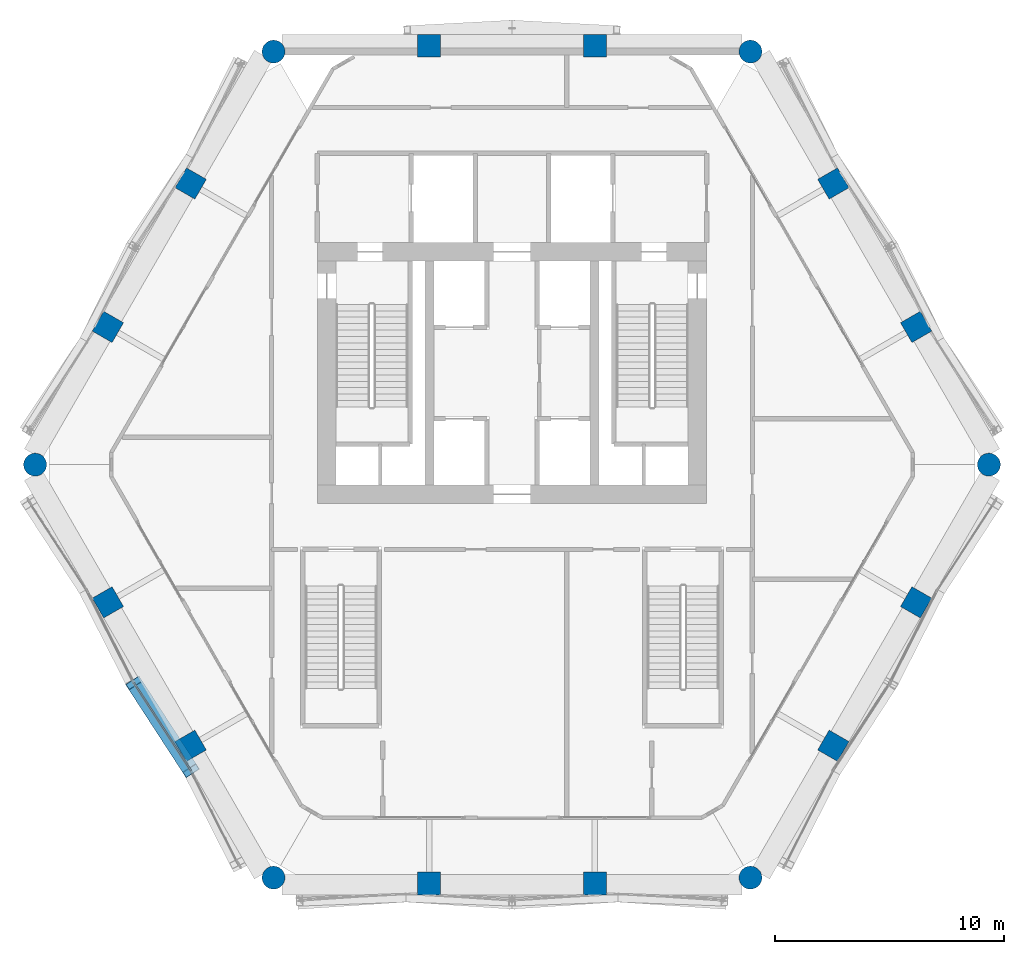
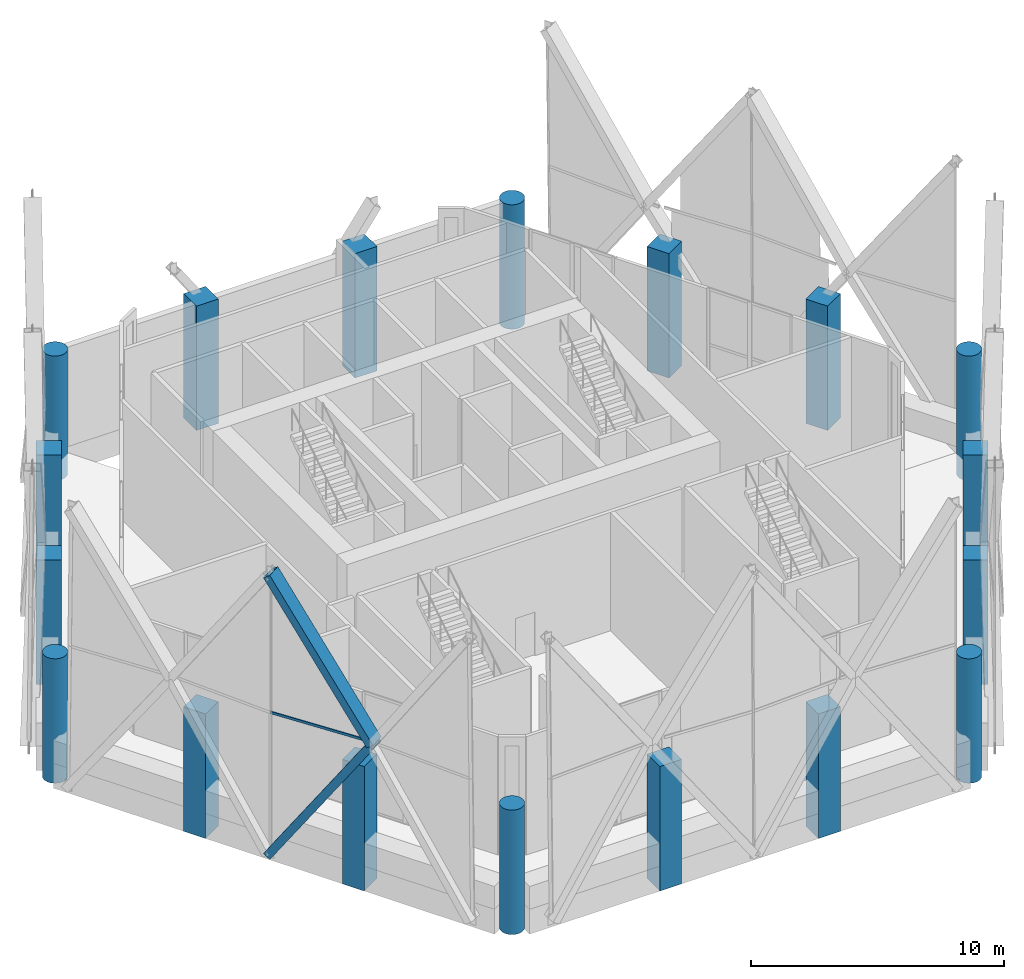
# One storey, part 1 of 43: 18 columns, 3 members, 1 element without a shape of its own.
"""IFC4 building model written with IfcOpenShell, lengths in metres."""

import ifcopenshell
import ifcopenshell.guid

model = None  # the IFC model being written
_history = None  # IfcOwnerHistory: only IFC2X3 demands one
_inside = {}  # id of a spatial element -> (the spatial element, [elements in it])
_under = {}  # id of a project, library or spatial element -> (it, [spatial elements below it])
_declared = {}  # id of a project -> (the project, [libraries it declares])
_typed = {}  # id of a type object -> (the type object, [elements of that type])
_made_of = {}  # id of a material, layer set ... -> (it, [elements and type objects made of it])


def new_model(schema):
    """Start an empty IFC model of exactly this schema.

    Asked for "IFC4X3", IfcOpenShell would pick the latest addendum, in which some entities
    have other attributes; the version numbers below select the first issue.
    IFC2X3 requires an IfcOwnerHistory on every rooted entity: one is made here for all.
    """
    global model, _history
    if schema == "IFC4X3":
        model = ifcopenshell.file(schema_version=(4, 3, 0, 0))
    else:
        model = ifcopenshell.file(schema=schema)
    _inside.clear()
    _under.clear()
    _declared.clear()
    _typed.clear()
    _made_of.clear()
    _history = None
    if model.schema == "IFC2X3":
        org = make("IfcOrganization", Name="unknown")
        user = make(
            "IfcPersonAndOrganization",
            ThePerson=make("IfcPerson", FamilyName="unknown"),
            TheOrganization=org,
        )
        app = make(
            "IfcApplication",
            ApplicationDeveloper=org,
            Version="unknown",
            ApplicationFullName="unknown",
            ApplicationIdentifier="unknown",
        )
        _history = make(
            "IfcOwnerHistory",
            OwningUser=user,
            OwningApplication=app,
            ChangeAction="ADDED",
            CreationDate=0,
        )
    return model


def make(cls, **values):
    """One entity of the class cls with the attributes given. An attribute that is None is left unset."""
    return model.create_entity(
        cls, **{name: value for name, value in values.items() if value is not None}
    )


def rooted(cls, **values):
    """An entity with a GlobalId (a new one), such as an element, a storey or a relation."""
    return make(cls, GlobalId=ifcopenshell.guid.new(), OwnerHistory=_history, **values)


def si_unit(unit_type, name, prefix=None):
    """IfcSIUnit, for example si_unit("LENGTHUNIT", "METRE", prefix="MILLI")."""
    return make("IfcSIUnit", UnitType=unit_type, Prefix=prefix, Name=name)


def assignment(units):
    """IfcUnitAssignment: the units of a project."""
    return None if units is None else make("IfcUnitAssignment", Units=units)


def point(xyz):
    """IfcCartesianPoint."""
    return None if xyz is None else make("IfcCartesianPoint", Coordinates=xyz)


def direction(xyz):
    """IfcDirection."""
    return None if xyz is None else make("IfcDirection", DirectionRatios=xyz)


def frame(location, z_axis=None, x_axis=None):
    """IfcAxis2Placement3D, a coordinate frame: its origin and axes. An axis left out is left unset."""
    return make(
        "IfcAxis2Placement3D",
        Location=point(location),
        Axis=direction(z_axis),
        RefDirection=direction(x_axis),
    )


def frame_2d(location, x_axis=None):
    """IfcAxis2Placement2D, a coordinate frame in the plane: its origin and x axis."""
    return make(
        "IfcAxis2Placement2D", Location=point(location), RefDirection=direction(x_axis)
    )


def origin():
    """The frame at (0, 0, 0) with its axes left unset."""
    return frame((0.0, 0.0, 0.0))


def origin_2d():
    """The frame at (0, 0) in the plane with its x axis left unset."""
    return frame_2d((0.0, 0.0))


def place(relative_to, where):
    """IfcLocalPlacement: puts the frame where relative to a parent placement (None: the world)."""
    return make(
        "IfcLocalPlacement", PlacementRelTo=relative_to, RelativePlacement=where
    )


def context(
    kind, dimensions, precision=None, world=None, true_north=None, identifier=None
):
    """IfcGeometricRepresentationContext, for example the 3D "Model" context."""
    return make(
        "IfcGeometricRepresentationContext",
        ContextIdentifier=identifier,
        ContextType=kind,
        CoordinateSpaceDimension=dimensions,
        Precision=precision,
        WorldCoordinateSystem=world,
        TrueNorth=true_north,
    )


def subcontext(parent, identifier, kind, view, scale=None):
    """IfcGeometricRepresentationSubContext, for example "Body" below "Model"."""
    return make(
        "IfcGeometricRepresentationSubContext",
        ContextIdentifier=identifier,
        ContextType=kind,
        ParentContext=parent,
        TargetScale=scale,
        TargetView=view,
    )


def project(units=None, contexts=None):
    """IfcProject with its units and contexts."""
    return rooted(
        "IfcProject",
        Name="project",
        RepresentationContexts=contexts,
        UnitsInContext=assignment(units),
    )


def spatial(cls, under=None, at=None, **own):
    """A site, building, storey or space (cls), placed at a placement, below another one or the project."""
    s = rooted(cls, ObjectPlacement=at, **own)
    if under is not None:
        _under.setdefault(under.id(), (under, []))[1].append(s)
    return s


def profile(cls, at=None, kind="AREA", **sizes):
    """A parametric profile (cls). Its sizes go by their IFC names, for example OverallWidth=200.0."""
    return make(cls, ProfileType=kind, Position=at, **sizes)


def rectangle(**sizes):
    """IfcRectangleProfileDef."""
    return profile("IfcRectangleProfileDef", **sizes)


def hollow_rectangle(**sizes):
    """IfcRectangleHollowProfileDef."""
    return profile("IfcRectangleHollowProfileDef", **sizes)


def circle(**sizes):
    """IfcCircleProfileDef."""
    return profile("IfcCircleProfileDef", **sizes)


def extrude(swept, where, along, depth):
    """IfcExtrudedAreaSolid: the profile swept, set in the frame where, extruded along a direction by depth."""
    return make(
        "IfcExtrudedAreaSolid",
        SweptArea=swept,
        Position=where,
        ExtrudedDirection=direction(along),
        Depth=depth,
    )


def shape(context_of_items, identifier, shape_type, items):
    """IfcShapeRepresentation: the items that make up one representation, for example the "Body"."""
    return make(
        "IfcShapeRepresentation",
        ContextOfItems=context_of_items,
        RepresentationIdentifier=identifier,
        RepresentationType=shape_type,
        Items=items,
    )


def material(Name=None, Category=None):
    """IfcMaterial."""
    return make("IfcMaterial", Name=Name, Category=Category)


def material_profile(
    of_material, cross_section, Name=None, Category=None, Priority=None
):
    """IfcMaterialProfile: a cross section and its material."""
    return make(
        "IfcMaterialProfile",
        Name=Name,
        Material=of_material,
        Profile=cross_section,
        Priority=Priority,
        Category=Category,
    )


def profile_set(profiles, Name=None, composite=None):
    """IfcMaterialProfileSet."""
    return make(
        "IfcMaterialProfileSet",
        Name=Name,
        MaterialProfiles=profiles,
        CompositeProfile=composite,
    )


def made_of(thing, what):
    """Note that an element or type object is made of a material, layer set ...; save() writes the relation."""
    if what is not None:
        _made_of.setdefault(what.id(), (what, []))[1].append(thing)
    return thing


def type_object(cls, material=None, **own):
    """A type object (cls), such as IfcWallType, which elements share."""
    return made_of(rooted(cls, **own), material)


def element(
    cls,
    number,
    at=None,
    inside=None,
    cuts=None,
    type_object=None,
    material=None,
    context=None,
    identifier="Body",
    shape_type=None,
    held_by="IfcProductDefinitionShape",
    body=None,
    shapes=None,
    **own,
):
    """One element of the class cls, such as IfcWall. Its Tag is "e" and its number.

    at: its placement. inside: the storey or other place that contains it. cuts: it is an
    opening in that element (IfcRelVoidsElement). A single representation is given by context,
    identifier, shape_type and body (its items); several are given by shapes. held_by: the class
    of the entity that holds the representations. save() writes the other relations.
    """
    e = rooted(cls, Tag="e%d" % number, ObjectPlacement=at, **own)
    if body is not None:
        shapes = [shape(context, identifier, shape_type, body)]
    if shapes is not None:
        e.Representation = make(held_by, Representations=shapes)
    if inside is not None:
        _inside.setdefault(inside.id(), (inside, []))[1].append(e)
    if cuts is not None:
        rooted(
            "IfcRelVoidsElement", RelatingBuildingElement=cuts, RelatedOpeningElement=e
        )
    if type_object is not None:
        _typed.setdefault(type_object.id(), (type_object, []))[1].append(e)
    return made_of(e, material)


def aggregate(whole, parts):
    """IfcRelAggregates: a whole, such as a stair, and the parts it consists of."""
    return rooted("IfcRelAggregates", RelatingObject=whole, RelatedObjects=parts)


def save(model, path):
    """Write the relations noted so far, then the file.

    IfcRelAggregates (storeys below a building ...), IfcRelContainedInSpatialStructure (elements
    in a storey), IfcRelDefinesByType, IfcRelAssociatesMaterial and IfcRelDeclares: one each for
    every whole, place, type object, material and project.
    """
    for whole, parts in _under.values():
        aggregate(whole, parts)
    for where, things in _inside.values():
        rooted(
            "IfcRelContainedInSpatialStructure",
            RelatedElements=things,
            RelatingStructure=where,
        )
    for kind, things in _typed.values():
        rooted("IfcRelDefinesByType", RelatedObjects=things, RelatingType=kind)
    for what, things in _made_of.values():
        rooted("IfcRelAssociatesMaterial", RelatedObjects=things, RelatingMaterial=what)
    for by, libraries in _declared.values():
        rooted("IfcRelDeclares", RelatingContext=by, RelatedDefinitions=libraries)
    model.write(path)


model = new_model("IFC4")

# Units and contexts
model_context = context("Model", 3, precision=1e-05, world=origin(), true_north=direction((0.0, 1.0)))
body_context = subcontext(model_context, "Body", "Model", "MODEL_VIEW")
ifc_project = project(units=[si_unit("LENGTHUNIT", "METRE"), si_unit("AREAUNIT", "SQUARE_METRE"), si_unit("VOLUMEUNIT", "CUBIC_METRE"), si_unit("PLANEANGLEUNIT", "RADIAN"), si_unit("MASSUNIT", "GRAM", prefix="KILO")], contexts=[model_context])

# Site, building, storey
site_placement = place(None, origin())
site = spatial("IfcSite", under=ifc_project, at=site_placement, CompositionType="ELEMENT")
building_placement = place(site_placement, origin())
building = spatial("IfcBuilding", under=site, at=building_placement, Name="Ostrander Bayou Hotel Tower", CompositionType="ELEMENT")
storey_placement = place(building_placement, frame((0.0, 0.0, 151.0)))
storey = spatial("IfcBuildingStorey", under=building, at=storey_placement, Name="L37", CompositionType="ELEMENT", Elevation=151.0)

# Columns
ifc_material_1 = material(Name="Concrete f'c 60 MPa", Category="concrete")
ifc_material_profile_1 = material_profile(ifc_material_1, circle(Radius=0.5, at=origin_2d()))
ifc_profile_set_1 = profile_set([ifc_material_profile_1], Name="Concrete f'c 60 MPa")
column_type_1 = type_object("IfcColumnType", Name="C5 round column 1000 mm f'c 60 MPa", PredefinedType="COLUMN", material=ifc_profile_set_1)
for number, where, z_axis, x_axis, name in (
    (1, (-10.41845703125, 18.04541015625, -1.199951171875), (0.0, 0.0, 1.0), (1.0, 0.0, 0.0), "C5 L37 K0"),
    (2, (-20.837158203125, 0.0, -1.199951171875), (0.0, 0.0, 1.0), (1.0, 0.0, 0.0), "C5 L37 K1"),
    (3, (-10.41845703125, -18.04541015625, -1.199951171875), (0.0, 0.0, 1.0), (1.0, 0.0, 0.0), "C5 L37 K2"),
    (4, (10.41845703125, -18.04541015625, -1.199951171875), (0.0, 0.0, 1.0), (1.0, 0.0, 0.0), "C5 L37 K3"),
    (5, (20.837158203125, 0.0, -1.199951171875), (0.0, 0.0, 1.0), (1.0, 0.0, 0.0), "C5 L37 K4"),
    (6, (10.41845703125, 18.04541015625, -1.199951171875), (0.0, 0.0, 1.0), (1.0, 0.0, 0.0), "C5 L37 K5"),
):
    element("IfcColumn", number, at=place(storey_placement, frame(where, z_axis=z_axis, x_axis=x_axis)), inside=storey, type_object=column_type_1, Name=name, PredefinedType="COLUMN", context=body_context, shape_type="SweptSolid", body=[
        extrude(circle(Radius=0.5, at=origin_2d()), origin(), (0.0, 0.0, 1.0), 6.0),
    ])
ifc_material_2 = material(Name="Concrete f'c 60 MPa", Category="concrete")
ifc_material_profile_2 = material_profile(ifc_material_2, rectangle(XDim=1.0, YDim=1.0, at=origin_2d()))
ifc_profile_set_2 = profile_set([ifc_material_profile_2], Name="Concrete f'c 60 MPa")
column_type_2 = type_object("IfcColumnType", Name="C6 square column 1000 x 1000 mm f'c 60 MPa", PredefinedType="COLUMN", material=ifc_profile_set_2)
for number, where, z_axis, x_axis, name in (
    (7, (3.6181640625, 18.300048828125, -1.199951171875), (0.0, 0.0, 1.0), (1.0, 0.0, 0.0), "C6 L37 N1"),
    (8, (-3.6181640625, 18.300048828125, -1.199951171875), (0.0, 0.0, 1.0), (1.0, 0.0, 0.0), "C6 L37 N2"),
    (9, (-14.039306640625, 12.283203125, -1.199951171875), (0.0, 0.0, 1.0), (0.5, 0.866025403784, 0.0), "C6 L37 NW1"),
    (10, (-17.6572265625, 6.0166015625, -1.199951171875), (0.0, 0.0, 1.0), (0.5, 0.866025403784, 0.0), "C6 L37 NW2"),
    (11, (-17.6572265625, -6.0166015625, -1.199951171875), (0.0, 0.0, 1.0), (-0.5, 0.866025403784, 0.0), "C6 L37 SW1"),
    (12, (-14.039306640625, -12.283203125, -1.199951171875), (0.0, 0.0, 1.0), (-0.5, 0.866025403784, 0.0), "C6 L37 SW2"),
    (13, (-3.6181640625, -18.300048828125, -1.199951171875), (0.0, 0.0, 1.0), (-1.0, 0.0, 0.0), "C6 L37 S1"),
    (14, (3.6181640625, -18.300048828125, -1.199951171875), (0.0, 0.0, 1.0), (-1.0, 0.0, 0.0), "C6 L37 S2"),
    (15, (14.039306640625, -12.283203125, -1.199951171875), (0.0, 0.0, 1.0), (-0.5, -0.866025403784, 0.0), "C6 L37 SE1"),
    (16, (17.6572265625, -6.0166015625, -1.199951171875), (0.0, 0.0, 1.0), (-0.5, -0.866025403784, 0.0), "C6 L37 SE2"),
    (17, (17.6572265625, 6.0166015625, -1.199951171875), (0.0, 0.0, 1.0), (0.5, -0.866025403784, 0.0), "C6 L37 NE1"),
    (18, (14.039306640625, 12.283203125, -1.199951171875), (0.0, 0.0, 1.0), (0.5, -0.866025403784, 0.0), "C6 L37 NE2"),
):
    element("IfcColumn", number, at=place(storey_placement, frame(where, z_axis=z_axis, x_axis=x_axis)), inside=storey, type_object=column_type_2, Name=name, PredefinedType="COLUMN", context=body_context, shape_type="SweptSolid", body=[
        extrude(rectangle(XDim=1.0, YDim=1.0, at=origin_2d()), origin(), (0.0, 0.0, 1.0), 6.0),
    ])

# Curtain wall, member
ifc_material_3 = material(Name="Aluminium and clear glass", Category="aluminium")
curtain_wall_type = type_object("IfcCurtainWallType", Name="CW-LAT lattice glazing", PredefinedType="NOTDEFINED", material=ifc_material_3)
curtain_wall_placement = place(storey_placement, origin())
curtain_wall = element("IfcCurtainWall", 19, at=curtain_wall_placement, inside=storey, type_object=curtain_wall_type, Name="CW-LAT L37 SW 2", PredefinedType="NOTDEFINED")
ifc_material_4 = material(Name="Aluminium", Category="aluminium")
ifc_material_profile_3 = material_profile(ifc_material_4, hollow_rectangle(XDim=0.06005859375, YDim=0.1201171875, WallThickness=0.00390625, at=origin_2d()))
ifc_profile_set_3 = profile_set([ifc_material_profile_3], Name="Aluminium")
member_type_1 = type_object("IfcMemberType", Name="CW-LA transom 60 x 120 mm", PredefinedType="USERDEFINED", material=ifc_profile_set_3)
member_placement = place(storey_placement, frame((-16.51513671875, -9.534912109375, 6.14990234375), z_axis=(0.544977103491, -0.838450926811, 0.0), x_axis=(0.838450926811, 0.544977103491, 0.0)))
member = element("IfcMember", 20, at=member_placement, type_object=member_type_1, Name="CW-LAT transom 7", ObjectType="TRANSOM", PredefinedType="USERDEFINED", context=body_context, shape_type="SweptSolid", body=[
    extrude(hollow_rectangle(XDim=0.06005859375, YDim=0.1201171875, WallThickness=0.00390625, at=origin_2d()), origin(), (0.0, 0.0, 1.0), 4.577880859375),
])
aggregate(curtain_wall, [member])

# Members
ifc_material_5 = material(Name="Steel ASTM A572 Gr 50", Category="steel")
ifc_material_profile_4 = material_profile(ifc_material_5, hollow_rectangle(XDim=0.699951171875, YDim=0.35009765625, WallThickness=0.02490234375, at=origin_2d()))
ifc_profile_set_4 = profile_set([ifc_material_profile_4], Name="Steel ASTM A572 Gr 50")
member_type_2 = type_object("IfcMemberType", Name="LT1 lattice member box 700 x 350 x 25 mm", PredefinedType="BRACE", material=ifc_profile_set_4)
for number, where, z_axis, x_axis, name in (
    (21, (-14.020263671875, -13.373291015625, 6.14990234375), (-0.305894865119, 0.47062130046, -0.827613389843), (-0.838450926811, -0.544977103491, 0.0), "LT1 L37 SW 5"),
    (22, (-14.020263671875, -13.373291015625, 6.14990234375), (-0.305894865119, 0.47062130046, 0.827613389843), (-0.838450926811, -0.544977103491, 0.0), "LT1 L37 SW 6"),
):
    element("IfcMember", number, at=place(storey_placement, frame(where, z_axis=z_axis, x_axis=x_axis)), inside=storey, type_object=member_type_2, Name=name, PredefinedType="BRACE", context=body_context, shape_type="SweptSolid", body=[
        extrude(hollow_rectangle(XDim=0.699951171875, YDim=0.35009765625, WallThickness=0.02490234375, at=origin_2d()), origin(), (0.0, 0.0, 1.0), 8.156005859375),
    ])

save(model, "model.ifc")
